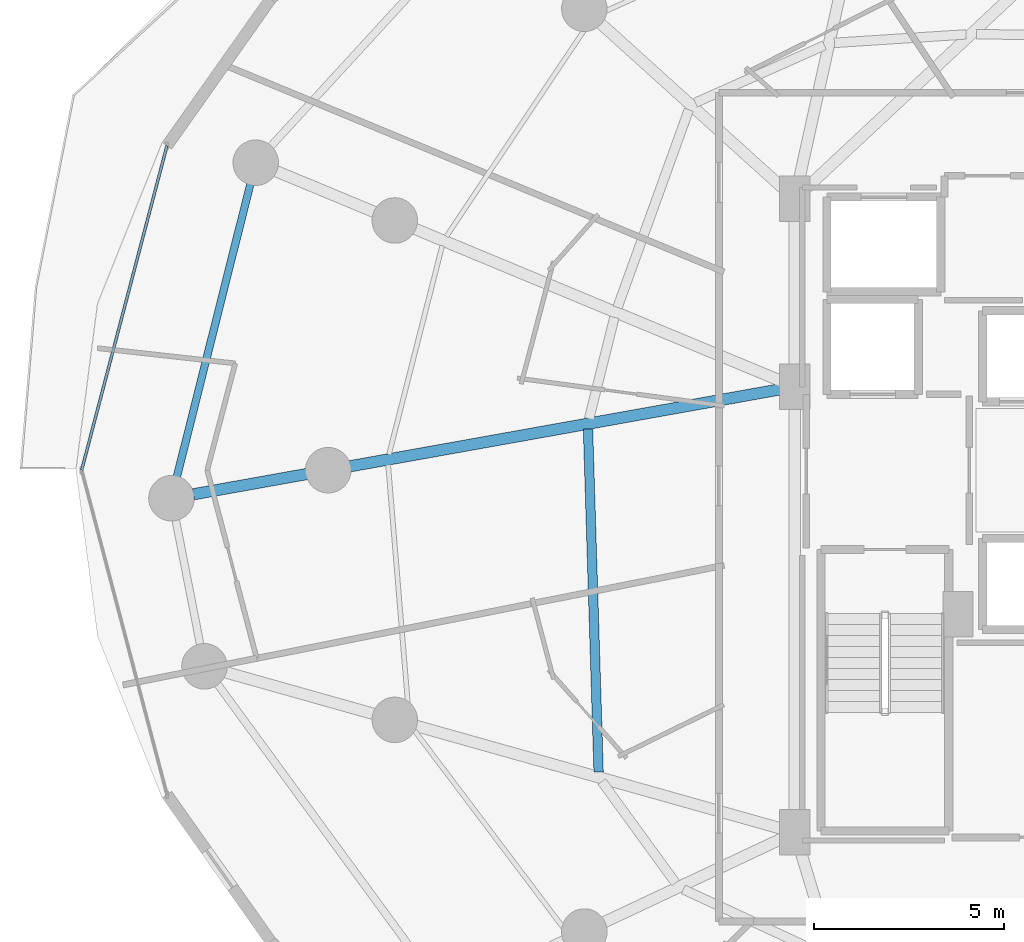
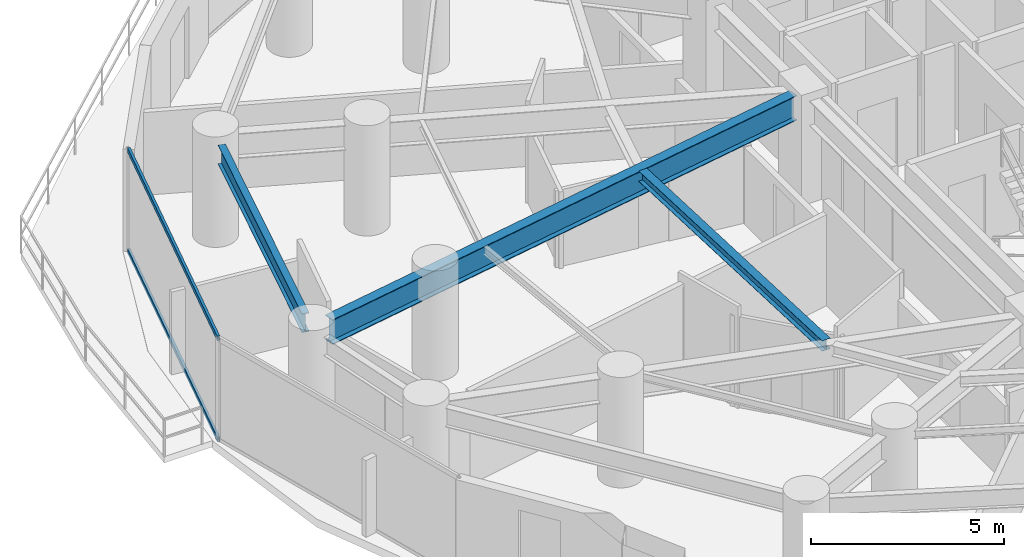
# One storey, part 9 of 35: 3 beams, 2 members, 1 element without a shape of its own.
"""IFC4 building model written with IfcOpenShell, lengths in metres."""

import ifcopenshell
import ifcopenshell.guid

model = None  # the IFC model being written
_history = None  # IfcOwnerHistory: only IFC2X3 demands one
_inside = {}  # id of a spatial element -> (the spatial element, [elements in it])
_under = {}  # id of a project, library or spatial element -> (it, [spatial elements below it])
_declared = {}  # id of a project -> (the project, [libraries it declares])
_typed = {}  # id of a type object -> (the type object, [elements of that type])
_made_of = {}  # id of a material, layer set ... -> (it, [elements and type objects made of it])


def new_model(schema):
    """Start an empty IFC model of exactly this schema.

    Asked for "IFC4X3", IfcOpenShell would pick the latest addendum, in which some entities
    have other attributes; the version numbers below select the first issue.
    IFC2X3 requires an IfcOwnerHistory on every rooted entity: one is made here for all.
    """
    global model, _history
    if schema == "IFC4X3":
        model = ifcopenshell.file(schema_version=(4, 3, 0, 0))
    else:
        model = ifcopenshell.file(schema=schema)
    _inside.clear()
    _under.clear()
    _declared.clear()
    _typed.clear()
    _made_of.clear()
    _history = None
    if model.schema == "IFC2X3":
        org = make("IfcOrganization", Name="unknown")
        user = make(
            "IfcPersonAndOrganization",
            ThePerson=make("IfcPerson", FamilyName="unknown"),
            TheOrganization=org,
        )
        app = make(
            "IfcApplication",
            ApplicationDeveloper=org,
            Version="unknown",
            ApplicationFullName="unknown",
            ApplicationIdentifier="unknown",
        )
        _history = make(
            "IfcOwnerHistory",
            OwningUser=user,
            OwningApplication=app,
            ChangeAction="ADDED",
            CreationDate=0,
        )
    return model


def make(cls, **values):
    """One entity of the class cls with the attributes given. An attribute that is None is left unset."""
    return model.create_entity(
        cls, **{name: value for name, value in values.items() if value is not None}
    )


def rooted(cls, **values):
    """An entity with a GlobalId (a new one), such as an element, a storey or a relation."""
    return make(cls, GlobalId=ifcopenshell.guid.new(), OwnerHistory=_history, **values)


def si_unit(unit_type, name, prefix=None):
    """IfcSIUnit, for example si_unit("LENGTHUNIT", "METRE", prefix="MILLI")."""
    return make("IfcSIUnit", UnitType=unit_type, Prefix=prefix, Name=name)


def assignment(units):
    """IfcUnitAssignment: the units of a project."""
    return None if units is None else make("IfcUnitAssignment", Units=units)


def point(xyz):
    """IfcCartesianPoint."""
    return None if xyz is None else make("IfcCartesianPoint", Coordinates=xyz)


def direction(xyz):
    """IfcDirection."""
    return None if xyz is None else make("IfcDirection", DirectionRatios=xyz)


def frame(location, z_axis=None, x_axis=None):
    """IfcAxis2Placement3D, a coordinate frame: its origin and axes. An axis left out is left unset."""
    return make(
        "IfcAxis2Placement3D",
        Location=point(location),
        Axis=direction(z_axis),
        RefDirection=direction(x_axis),
    )


def frame_2d(location, x_axis=None):
    """IfcAxis2Placement2D, a coordinate frame in the plane: its origin and x axis."""
    return make(
        "IfcAxis2Placement2D", Location=point(location), RefDirection=direction(x_axis)
    )


def origin():
    """The frame at (0, 0, 0) with its axes left unset."""
    return frame((0.0, 0.0, 0.0))


def origin_2d():
    """The frame at (0, 0) in the plane with its x axis left unset."""
    return frame_2d((0.0, 0.0))


def place(relative_to, where):
    """IfcLocalPlacement: puts the frame where relative to a parent placement (None: the world)."""
    return make(
        "IfcLocalPlacement", PlacementRelTo=relative_to, RelativePlacement=where
    )


def context(
    kind, dimensions, precision=None, world=None, true_north=None, identifier=None
):
    """IfcGeometricRepresentationContext, for example the 3D "Model" context."""
    return make(
        "IfcGeometricRepresentationContext",
        ContextIdentifier=identifier,
        ContextType=kind,
        CoordinateSpaceDimension=dimensions,
        Precision=precision,
        WorldCoordinateSystem=world,
        TrueNorth=true_north,
    )


def subcontext(parent, identifier, kind, view, scale=None):
    """IfcGeometricRepresentationSubContext, for example "Body" below "Model"."""
    return make(
        "IfcGeometricRepresentationSubContext",
        ContextIdentifier=identifier,
        ContextType=kind,
        ParentContext=parent,
        TargetScale=scale,
        TargetView=view,
    )


def project(units=None, contexts=None):
    """IfcProject with its units and contexts."""
    return rooted(
        "IfcProject",
        Name="project",
        RepresentationContexts=contexts,
        UnitsInContext=assignment(units),
    )


def spatial(cls, under=None, at=None, **own):
    """A site, building, storey or space (cls), placed at a placement, below another one or the project."""
    s = rooted(cls, ObjectPlacement=at, **own)
    if under is not None:
        _under.setdefault(under.id(), (under, []))[1].append(s)
    return s


def profile(cls, at=None, kind="AREA", **sizes):
    """A parametric profile (cls). Its sizes go by their IFC names, for example OverallWidth=200.0."""
    return make(cls, ProfileType=kind, Position=at, **sizes)


def hollow_rectangle(**sizes):
    """IfcRectangleHollowProfileDef."""
    return profile("IfcRectangleHollowProfileDef", **sizes)


def i_section(**sizes):
    """IfcIShapeProfileDef."""
    return profile("IfcIShapeProfileDef", **sizes)


def extrude(swept, where, along, depth):
    """IfcExtrudedAreaSolid: the profile swept, set in the frame where, extruded along a direction by depth."""
    return make(
        "IfcExtrudedAreaSolid",
        SweptArea=swept,
        Position=where,
        ExtrudedDirection=direction(along),
        Depth=depth,
    )


def shape(context_of_items, identifier, shape_type, items):
    """IfcShapeRepresentation: the items that make up one representation, for example the "Body"."""
    return make(
        "IfcShapeRepresentation",
        ContextOfItems=context_of_items,
        RepresentationIdentifier=identifier,
        RepresentationType=shape_type,
        Items=items,
    )


def material(Name=None, Category=None):
    """IfcMaterial."""
    return make("IfcMaterial", Name=Name, Category=Category)


def material_profile(
    of_material, cross_section, Name=None, Category=None, Priority=None
):
    """IfcMaterialProfile: a cross section and its material."""
    return make(
        "IfcMaterialProfile",
        Name=Name,
        Material=of_material,
        Profile=cross_section,
        Priority=Priority,
        Category=Category,
    )


def profile_set(profiles, Name=None, composite=None):
    """IfcMaterialProfileSet."""
    return make(
        "IfcMaterialProfileSet",
        Name=Name,
        MaterialProfiles=profiles,
        CompositeProfile=composite,
    )


def made_of(thing, what):
    """Note that an element or type object is made of a material, layer set ...; save() writes the relation."""
    if what is not None:
        _made_of.setdefault(what.id(), (what, []))[1].append(thing)
    return thing


def type_object(cls, material=None, **own):
    """A type object (cls), such as IfcWallType, which elements share."""
    return made_of(rooted(cls, **own), material)


def element(
    cls,
    number,
    at=None,
    inside=None,
    cuts=None,
    type_object=None,
    material=None,
    context=None,
    identifier="Body",
    shape_type=None,
    held_by="IfcProductDefinitionShape",
    body=None,
    shapes=None,
    **own,
):
    """One element of the class cls, such as IfcWall. Its Tag is "e" and its number.

    at: its placement. inside: the storey or other place that contains it. cuts: it is an
    opening in that element (IfcRelVoidsElement). A single representation is given by context,
    identifier, shape_type and body (its items); several are given by shapes. held_by: the class
    of the entity that holds the representations. save() writes the other relations.
    """
    e = rooted(cls, Tag="e%d" % number, ObjectPlacement=at, **own)
    if body is not None:
        shapes = [shape(context, identifier, shape_type, body)]
    if shapes is not None:
        e.Representation = make(held_by, Representations=shapes)
    if inside is not None:
        _inside.setdefault(inside.id(), (inside, []))[1].append(e)
    if cuts is not None:
        rooted(
            "IfcRelVoidsElement", RelatingBuildingElement=cuts, RelatedOpeningElement=e
        )
    if type_object is not None:
        _typed.setdefault(type_object.id(), (type_object, []))[1].append(e)
    return made_of(e, material)


def aggregate(whole, parts):
    """IfcRelAggregates: a whole, such as a stair, and the parts it consists of."""
    return rooted("IfcRelAggregates", RelatingObject=whole, RelatedObjects=parts)


def save(model, path):
    """Write the relations noted so far, then the file.

    IfcRelAggregates (storeys below a building ...), IfcRelContainedInSpatialStructure (elements
    in a storey), IfcRelDefinesByType, IfcRelAssociatesMaterial and IfcRelDeclares: one each for
    every whole, place, type object, material and project.
    """
    for whole, parts in _under.values():
        aggregate(whole, parts)
    for where, things in _inside.values():
        rooted(
            "IfcRelContainedInSpatialStructure",
            RelatedElements=things,
            RelatingStructure=where,
        )
    for kind, things in _typed.values():
        rooted("IfcRelDefinesByType", RelatedObjects=things, RelatingType=kind)
    for what, things in _made_of.values():
        rooted("IfcRelAssociatesMaterial", RelatedObjects=things, RelatingMaterial=what)
    for by, libraries in _declared.values():
        rooted("IfcRelDeclares", RelatingContext=by, RelatedDefinitions=libraries)
    model.write(path)


model = new_model("IFC4")

# Units and contexts
model_context = context("Model", 3, precision=1e-05, world=origin(), true_north=direction((0.0, 1.0)))
body_context = subcontext(model_context, "Body", "Model", "MODEL_VIEW")
ifc_project = project(units=[si_unit("LENGTHUNIT", "METRE"), si_unit("AREAUNIT", "SQUARE_METRE"), si_unit("VOLUMEUNIT", "CUBIC_METRE"), si_unit("PLANEANGLEUNIT", "RADIAN"), si_unit("MASSUNIT", "GRAM", prefix="KILO")], contexts=[model_context])

# Site, building, storey
site_placement = place(None, origin())
site = spatial("IfcSite", under=ifc_project, at=site_placement, CompositionType="ELEMENT")
building_placement = place(site_placement, origin())
building = spatial("IfcBuilding", under=site, at=building_placement, Name="Vorneva Point Tower", CompositionType="ELEMENT")
storey_placement = place(building_placement, frame((0.0, 0.0, 52.0)))
storey = spatial("IfcBuildingStorey", under=building, at=storey_placement, Name="L13", CompositionType="ELEMENT", Elevation=52.0)

# Beams
ifc_material_1 = material(Name="Steel S355", Category="steel")
ifc_material_profile_1 = material_profile(ifc_material_1, i_section(OverallWidth=0.300048828125, OverallDepth=0.7880859375, WebThickness=0.014404296875, FlangeThickness=0.02197265625, at=origin_2d()), Name="80Sh1")
ifc_profile_set_1 = profile_set([ifc_material_profile_1], Name="Steel S355")
beam_type_1 = type_object("IfcBeamType", Name="BM-GRD-80Sh1", PredefinedType="USERDEFINED", material=ifc_profile_set_1)
beam_1_placement = place(storey_placement, frame((11.396728515625, 25.364501953125, 2.845947265625), z_axis=(0.984378532035, 0.176065060895, 0.0), x_axis=(-0.176065060895, 0.984378532035, 0.0)))
element("IfcBeam", 1, at=beam_1_placement, inside=storey, type_object=beam_type_1, Name="L13 Radial Primary Girder 09", ObjectType="GIRDER", PredefinedType="USERDEFINED", context=body_context, shape_type="SweptSolid", body=[
    extrude(i_section(OverallWidth=0.300048828125, OverallDepth=0.7880859375, WebThickness=0.014404296875, FlangeThickness=0.02197265625, at=origin_2d()), origin(), (0.0, 0.0, 1.0), 15.764892578125),
])
ifc_material_profile_2 = material_profile(ifc_material_1, i_section(OverallWidth=0.2490234375, OverallDepth=0.333984375, WebThickness=0.008056640625, FlangeThickness=0.010986328125, at=origin_2d()), Name="35Sh1")
ifc_profile_set_2 = profile_set([ifc_material_profile_2], Name="Steel S355")
beam_type_2 = type_object("IfcBeamType", Name="BM-SEC-35Sh1", PredefinedType="BEAM", material=ifc_profile_set_2)
beam_2_placement = place(storey_placement, frame((21.79833984375, 27.086181640625, 3.072998046875), z_axis=(0.030894434664, -0.999522653023, 0.0), x_axis=(0.999522653023, 0.030894434664, 0.0)))
element("IfcBeam", 2, at=beam_2_placement, inside=storey, type_object=beam_type_2, Name="L13 Secondary Floor Beam 2.09", PredefinedType="BEAM", context=body_context, shape_type="SweptSolid", body=[
    extrude(i_section(OverallWidth=0.2490234375, OverallDepth=0.333984375, WebThickness=0.008056640625, FlangeThickness=0.010986328125, at=origin_2d()), origin(), (0.0, 0.0, 1.0), 9.04833984375),
])
ifc_material_profile_3 = material_profile(ifc_material_1, i_section(OverallWidth=0.198974609375, OverallDepth=0.595947265625, WebThickness=0.010009765625, FlangeThickness=0.014892578125, at=origin_2d()), Name="60B1")
ifc_profile_set_3 = profile_set([ifc_material_profile_3], Name="Steel S355")
beam_type_3 = type_object("IfcBeamType", Name="BM-SPN-60B1", PredefinedType="SPANDREL", material=ifc_profile_set_3)
beam_3_placement = place(storey_placement, frame((12.896484375, 33.5380859375, 2.94189453125), z_axis=(-0.243554441672, -0.969887227435, 0.0), x_axis=(0.969887227435, -0.243554441672, 0.0)))
element("IfcBeam", 3, at=beam_3_placement, inside=storey, type_object=beam_type_3, Name="L13 Perimeter Spandrel Ring Beam 08", PredefinedType="SPANDREL", context=body_context, shape_type="SweptSolid", body=[
    extrude(i_section(OverallWidth=0.198974609375, OverallDepth=0.595947265625, WebThickness=0.010009765625, FlangeThickness=0.014892578125, at=origin_2d()), origin(), (0.0, 0.0, 1.0), 7.948974609375),
])

# Curtain wall, members
ifc_material_2 = material(Name="Pale anodised aluminium", Category="aluminium")
curtain_wall_type = type_object("IfcCurtainWallType", Name="CW-HTL-SYS", PredefinedType="NOTDEFINED", material=ifc_material_2)
curtain_wall_placement = place(storey_placement, origin())
curtain_wall = element("IfcCurtainWall", 4, at=curtain_wall_placement, inside=storey, type_object=curtain_wall_type, Name="L13 Unitised Curtain Wall CW-L13-R03", PredefinedType="NOTDEFINED")
ifc_material_profile_4 = material_profile(ifc_material_2, hollow_rectangle(XDim=0.074951171875, YDim=0.14990234375, WallThickness=0.00390625, at=origin_2d()), Name="AL-TRN 150x75x4")
ifc_profile_set_4 = profile_set([ifc_material_profile_4], Name="Pale anodised aluminium")
member_type = type_object("IfcMemberType", Name="CW-TRN-150", PredefinedType="USERDEFINED", material=ifc_profile_set_4)
member_1_placement = place(storey_placement, frame((10.699462890625, 34.552978515625, 0.02001953125), z_axis=(-0.254358772746, -0.967109928978, 0.0), x_axis=(0.967109928978, -0.254358772746, 0.0)))
member_1 = element("IfcMember", 5, at=member_1_placement, type_object=member_type, Name="CW-L13-R03 Transom 01.1", ObjectType="TRANSOM", PredefinedType="USERDEFINED", context=body_context, shape_type="SweptSolid", body=[
    extrude(hollow_rectangle(XDim=0.074951171875, YDim=0.14990234375, WallThickness=0.00390625, at=origin_2d()), origin(), (0.0, 0.0, 1.0), 8.84375),
])
member_2_placement = place(storey_placement, frame((10.699462890625, 34.552978515625, 3.219970703125), z_axis=(-0.254358772746, -0.967109928978, 0.0), x_axis=(0.967109928978, -0.254358772746, 0.0)))
member_2 = element("IfcMember", 6, at=member_2_placement, type_object=member_type, Name="CW-L13-R03 Transom 01.2", ObjectType="TRANSOM", PredefinedType="USERDEFINED", context=body_context, shape_type="SweptSolid", body=[
    extrude(hollow_rectangle(XDim=0.074951171875, YDim=0.14990234375, WallThickness=0.00390625, at=origin_2d()), origin(), (0.0, 0.0, 1.0), 8.84375),
])
aggregate(curtain_wall, [member_1, member_2])

save(model, "model.ifc")
